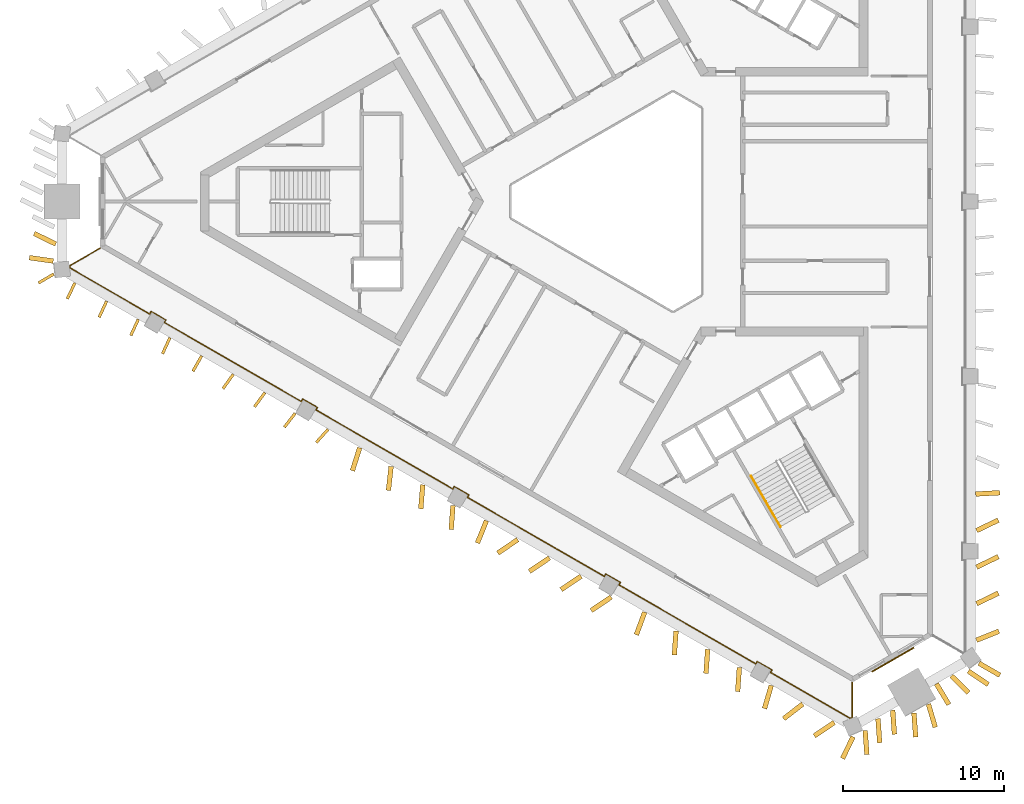
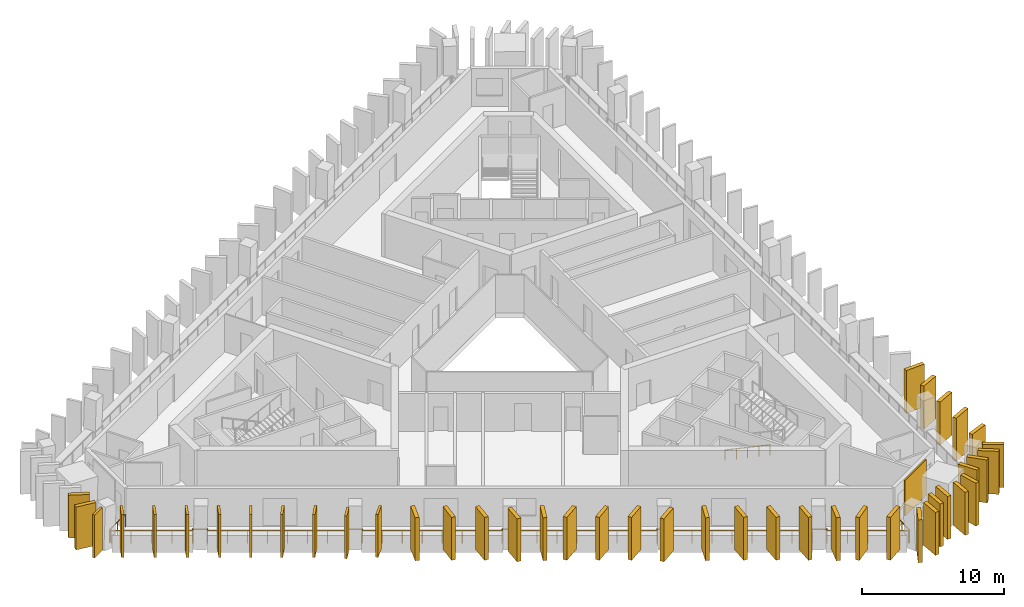
# One storey, part 7 of 10: 43 shading devices, 2 railings, 1 covering.
"""IFC4 building model written with IfcOpenShell, lengths in metres."""

from ifc_helpers import new_model, si_unit, direction, frame, frame_2d, origin, origin_2d, place, context, subcontext, project, spatial, rectangle, circle, extrude, material, layer, layer_set, type_object, element, save


model = new_model("IFC4")

# Units and contexts
model_context = context("Model", 3, precision=1e-05, world=origin(), true_north=direction((0.0, 1.0)))
body_context = subcontext(model_context, "Body", "Model", "MODEL_VIEW")
ifc_project = project(units=[si_unit("LENGTHUNIT", "METRE"), si_unit("AREAUNIT", "SQUARE_METRE"), si_unit("VOLUMEUNIT", "CUBIC_METRE"), si_unit("PLANEANGLEUNIT", "RADIAN"), si_unit("MASSUNIT", "GRAM", prefix="KILO")], contexts=[model_context])

# Site, building, storey
site_placement = place(None, origin())
site = spatial("IfcSite", under=ifc_project, at=site_placement, CompositionType="ELEMENT")
building_placement = place(site_placement, origin())
building = spatial("IfcBuilding", under=site, at=building_placement, Name="Jabali Bay Hotel Tower and Convention Centre", CompositionType="ELEMENT")
storey_placement = place(building_placement, frame((0.0, 0.0, 167.39990234375)))
storey = spatial("IfcBuildingStorey", under=building, at=storey_placement, Name="L40", CompositionType="ELEMENT", Elevation=167.39990234375)

# Railing
ifc_material_1 = material(Name="Glass", Category="glass")
railing_type_1 = type_object("IfcRailingType", Name="Loggia glass guard 1100", PredefinedType="BALUSTRADE", material=ifc_material_1)
railing_1_placement = place(storey_placement, frame((88.904541015625, 50.1181640625, 0.0)))
element("IfcRailing", 1, at=railing_1_placement, inside=storey, type_object=railing_type_1, Name="Loggia glass guard L40", PredefinedType="BALUSTRADE", context=body_context, shape_type="SweptSolid", body=[
    extrude(circle(Radius=0.02490234375, at=origin_2d()), frame((0.0, 0.0, 1.0751953125), z_axis=(0.0, -1.0, 0.0), x_axis=(0.991444861374, 0.0, 0.13052619222)), (0.0, 0.0, 1.0), 2.192626953125),
    extrude(circle(Radius=0.02490234375, at=origin_2d()), frame((0.0, -2.192626953125, 1.0751953125), z_axis=(-0.91884459615, -0.394619573926, 0.0), x_axis=(0.391243548766, -0.910983753254, 0.13052619222)), (0.0, 0.0, 1.0), 0.126220703125),
    extrude(circle(Radius=0.02490234375, at=origin_2d()), frame((-0.115966796875, -2.242431640625, 1.0751953125), z_axis=(-0.866023783073, 0.500002807145, 0.0), x_axis=(-0.495725213816, -0.858614829555, 0.13052619222)), (0.0, 0.0, 1.0), 5.72900390625),
    extrude(circle(Radius=0.02490234375, at=origin_2d()), frame((-5.077392578125, 0.6220703125, 1.0751953125), z_axis=(0.500486622847, 0.865744269604, 0.0), x_axis=(-0.858337707362, 0.496204890408, 0.13052619222)), (0.0, 0.0, 1.0), 0.175048828125),
    extrude(circle(Radius=0.02490234375, at=origin_2d()), frame((-4.98974609375, 0.773681640625, 1.0751953125), z_axis=(-0.866088799389, 0.499890179513, 0.0), x_axis=(-0.495613549729, -0.858679289647, 0.13052619222)), (0.0, 0.0, 1.0), 1.050048828125),
    extrude(circle(Radius=0.02490234375, at=origin_2d()), frame((-5.899169921875, 1.298583984375, 1.0751953125), z_axis=(-0.500044870432, -0.865999496279, 0.0), x_axis=(0.858590750538, -0.495766917246, 0.13052619222)), (0.0, 0.0, 1.0), 0.1748046875),
    extrude(circle(Radius=0.02490234375, at=origin_2d()), frame((-5.986572265625, 1.147216796875, 1.0751953125), z_axis=(-0.866027924134, 0.499995634601, 0.0), x_axis=(-0.495718102635, -0.858618935189, 0.13052619222)), (0.0, 0.0, 1.0), 9.82470703125),
    extrude(circle(Radius=0.02490234375, at=origin_2d()), frame((-14.4951171875, 6.0595703125, 1.0751953125), z_axis=(0.500044870432, 0.865999496279, 0.0), x_axis=(-0.858590750538, 0.495766917246, 0.13052619222)), (0.0, 0.0, 1.0), 0.1748046875),
    extrude(circle(Radius=0.02490234375, at=origin_2d()), frame((-14.40771484375, 6.2109375, 1.0751953125), z_axis=(-0.86592997719, 0.500165247297, 0.0), x_axis=(-0.495886264271, -0.858521826194, 0.13052619222)), (0.0, 0.0, 1.0), 1.050048828125),
    extrude(circle(Radius=0.02490234375, at=origin_2d()), frame((-15.31689453125, 6.736083984375, 1.0751953125), z_axis=(-0.500486622847, -0.865744269604, 0.0), x_axis=(0.858337707362, -0.496204890408, 0.13052619222)), (0.0, 0.0, 1.0), 0.175048828125),
    extrude(circle(Radius=0.02490234375, at=origin_2d()), frame((-15.404541015625, 6.58447265625, 1.0751953125), z_axis=(-0.866021711681, 0.500006394856, 0.0), x_axis=(-0.495728770834, -0.858612775884, 0.13052619222)), (0.0, 0.0, 1.0), 9.824462890625),
    extrude(circle(Radius=0.02490234375, at=origin_2d()), frame((-23.912841796875, 11.496826171875, 1.0751953125), z_axis=(0.499440622861, 0.866348119543, 0.0), x_axis=(-0.858936391282, 0.495167839097, 0.13052619222)), (0.0, 0.0, 1.0), 0.175048828125),
    extrude(circle(Radius=0.02490234375, at=origin_2d()), frame((-23.825439453125, 11.6484375, 1.0751953125), z_axis=(-0.866030680601, 0.499990860175, 0.0), x_axis=(-0.495713369054, -0.858621668074, 0.13052619222)), (0.0, 0.0, 1.0), 1.0498046875),
    extrude(circle(Radius=0.02490234375, at=origin_2d()), frame((-24.734619140625, 12.17333984375, 1.0751953125), z_axis=(-0.501091290591, -0.865394429433, 0.0), x_axis=(0.857990860123, -0.496804385136, 0.13052619222)), (0.0, 0.0, 1.0), 0.1748046875),
    extrude(circle(Radius=0.02490234375, at=origin_2d()), frame((-24.822265625, 12.02197265625, 1.0751953125), z_axis=(-0.866021711681, 0.500006394856, 0.0), x_axis=(-0.495728770834, -0.858612775884, 0.13052619222)), (0.0, 0.0, 1.0), 9.824462890625),
    extrude(circle(Radius=0.02490234375, at=origin_2d()), frame((-33.33056640625, 16.934326171875, 1.0751953125), z_axis=(0.500044870432, 0.865999496279, 0.0), x_axis=(-0.858590750538, 0.495766917246, 0.13052619222)), (0.0, 0.0, 1.0), 0.1748046875),
    extrude(circle(Radius=0.02490234375, at=origin_2d()), frame((-33.2431640625, 17.085693359375, 1.0751953125), z_axis=(-0.865988129768, 0.500064554934, 0.0), x_axis=(-0.495786433345, -0.858579481269, 0.13052619222)), (0.0, 0.0, 1.0), 1.050048828125),
    extrude(circle(Radius=0.02490234375, at=origin_2d()), frame((-34.152587890625, 17.61083984375, 1.0751953125), z_axis=(-0.499440622861, -0.866348119543, 0.0), x_axis=(0.858936391282, -0.495167839097, 0.13052619222)), (0.0, 0.0, 1.0), 0.175048828125),
    extrude(circle(Radius=0.02490234375, at=origin_2d()), frame((-34.239990234375, 17.459228515625, 1.0751953125), z_axis=(-0.866027924134, 0.499995634601, 0.0), x_axis=(-0.495718102635, -0.858618935189, 0.13052619222)), (0.0, 0.0, 1.0), 9.82470703125),
    extrude(circle(Radius=0.02490234375, at=origin_2d()), frame((-42.74853515625, 22.37158203125, 1.0751953125), z_axis=(0.500486622847, 0.865744269604, 0.0), x_axis=(-0.858337707362, 0.496204890408, 0.13052619222)), (0.0, 0.0, 1.0), 0.175048828125),
    extrude(circle(Radius=0.02490234375, at=origin_2d()), frame((-42.660888671875, 22.523193359375, 1.0751953125), z_axis=(-0.866088799389, 0.499890179513, 0.0), x_axis=(-0.495613549729, -0.858679289647, 0.13052619222)), (0.0, 0.0, 1.0), 1.050048828125),
    extrude(circle(Radius=0.02490234375, at=origin_2d()), frame((-43.5703125, 23.048095703125, 1.0751953125), z_axis=(-0.499440622861, -0.866348119543, 0.0), x_axis=(0.858936391282, -0.495167839097, 0.13052619222)), (0.0, 0.0, 1.0), 0.175048828125),
    extrude(circle(Radius=0.02490234375, at=origin_2d()), frame((-43.65771484375, 22.896484375, 1.0751953125), z_axis=(-0.866023783073, 0.500002807145, 0.0), x_axis=(-0.495725213816, -0.858614829555, 0.13052619222)), (0.0, 0.0, 1.0), 5.72900390625),
    extrude(circle(Radius=0.02490234375, at=origin_2d()), frame((-48.619140625, 25.760986328125, 1.0751953125), z_axis=(-0.119984594018, 0.992775753732, 0.0), x_axis=(-0.984282419534, -0.118958109183, 0.13052619222)), (0.0, 0.0, 1.0), 0.126220703125),
    extrude(circle(Radius=0.02490234375, at=origin_2d()), frame((-48.63427734375, 25.88623046875, 1.0751953125), z_axis=(0.866007583809, 0.500030863832, 0.0), x_axis=(-0.495753030475, 0.858598768878, 0.13052619222)), (0.0, 0.0, 1.0), 2.192626953125),
    extrude(circle(Radius=0.02001953125, at=origin_2d()), origin(), (0.0, 0.0, 1.0), 1.050048828125),
    extrude(circle(Radius=0.02001953125, at=origin_2d()), frame((0.0, -1.09619140625, 0.0)), (0.0, 0.0, 1.0), 1.050048828125),
    extrude(circle(Radius=0.02001953125, at=origin_2d()), frame((0.0, -2.192626953125, 0.0)), (0.0, 0.0, 1.0), 1.050048828125),
    extrude(circle(Radius=0.02001953125, at=origin_2d()), frame((-0.115966796875, -2.242431640625, 0.0)), (0.0, 0.0, 1.0), 1.050048828125),
    extrude(circle(Radius=0.02001953125, at=origin_2d()), frame((-1.3564453125, -1.5263671875, 0.0)), (0.0, 0.0, 1.0), 1.050048828125),
    extrude(circle(Radius=0.02001953125, at=origin_2d()), frame((-2.5966796875, -0.81005859375, 0.0)), (0.0, 0.0, 1.0), 1.050048828125),
    extrude(circle(Radius=0.02001953125, at=origin_2d()), frame((-3.8369140625, -0.093994140625, 0.0)), (0.0, 0.0, 1.0), 1.050048828125),
    extrude(circle(Radius=0.02001953125, at=origin_2d()), frame((-5.077392578125, 0.6220703125, 0.0)), (0.0, 0.0, 1.0), 1.050048828125),
    extrude(circle(Radius=0.02001953125, at=origin_2d()), frame((-4.98974609375, 0.773681640625, 0.0)), (0.0, 0.0, 1.0), 1.050048828125),
    extrude(circle(Radius=0.02001953125, at=origin_2d()), frame((-5.899169921875, 1.298583984375, 0.0)), (0.0, 0.0, 1.0), 1.050048828125),
    extrude(circle(Radius=0.02001953125, at=origin_2d()), frame((-5.986572265625, 1.147216796875, 0.0)), (0.0, 0.0, 1.0), 1.050048828125),
    extrude(circle(Radius=0.02001953125, at=origin_2d()), frame((-7.2021484375, 1.848876953125, 0.0)), (0.0, 0.0, 1.0), 1.050048828125),
    extrude(circle(Radius=0.02001953125, at=origin_2d()), frame((-8.41748046875, 2.55078125, 0.0)), (0.0, 0.0, 1.0), 1.050048828125),
    extrude(circle(Radius=0.02001953125, at=origin_2d()), frame((-9.633056640625, 3.25244140625, 0.0)), (0.0, 0.0, 1.0), 1.050048828125),
    extrude(circle(Radius=0.02001953125, at=origin_2d()), frame((-10.8486328125, 3.954345703125, 0.0)), (0.0, 0.0, 1.0), 1.050048828125),
    extrude(circle(Radius=0.02001953125, at=origin_2d()), frame((-12.064208984375, 4.656005859375, 0.0)), (0.0, 0.0, 1.0), 1.050048828125),
    extrude(circle(Radius=0.02001953125, at=origin_2d()), frame((-13.279541015625, 5.35791015625, 0.0)), (0.0, 0.0, 1.0), 1.050048828125),
    extrude(circle(Radius=0.02001953125, at=origin_2d()), frame((-14.4951171875, 6.0595703125, 0.0)), (0.0, 0.0, 1.0), 1.050048828125),
    extrude(circle(Radius=0.02001953125, at=origin_2d()), frame((-14.40771484375, 6.2109375, 0.0)), (0.0, 0.0, 1.0), 1.050048828125),
    extrude(circle(Radius=0.02001953125, at=origin_2d()), frame((-15.31689453125, 6.736083984375, 0.0)), (0.0, 0.0, 1.0), 1.050048828125),
    extrude(circle(Radius=0.02001953125, at=origin_2d()), frame((-15.404541015625, 6.58447265625, 0.0)), (0.0, 0.0, 1.0), 1.050048828125),
    extrude(circle(Radius=0.02001953125, at=origin_2d()), frame((-16.6201171875, 7.2861328125, 0.0)), (0.0, 0.0, 1.0), 1.050048828125),
    extrude(circle(Radius=0.02001953125, at=origin_2d()), frame((-17.83544921875, 7.988037109375, 0.0)), (0.0, 0.0, 1.0), 1.050048828125),
    extrude(circle(Radius=0.02001953125, at=origin_2d()), frame((-19.051025390625, 8.689697265625, 0.0)), (0.0, 0.0, 1.0), 1.050048828125),
    extrude(circle(Radius=0.02001953125, at=origin_2d()), frame((-20.266357421875, 9.3916015625, 0.0)), (0.0, 0.0, 1.0), 1.050048828125),
    extrude(circle(Radius=0.02001953125, at=origin_2d()), frame((-21.48193359375, 10.09326171875, 0.0)), (0.0, 0.0, 1.0), 1.050048828125),
    extrude(circle(Radius=0.02001953125, at=origin_2d()), frame((-22.697265625, 10.795166015625, 0.0)), (0.0, 0.0, 1.0), 1.050048828125),
    extrude(circle(Radius=0.02001953125, at=origin_2d()), frame((-23.912841796875, 11.496826171875, 0.0)), (0.0, 0.0, 1.0), 1.050048828125),
    extrude(circle(Radius=0.02001953125, at=origin_2d()), frame((-23.825439453125, 11.6484375, 0.0)), (0.0, 0.0, 1.0), 1.050048828125),
    extrude(circle(Radius=0.02001953125, at=origin_2d()), frame((-24.734619140625, 12.17333984375, 0.0)), (0.0, 0.0, 1.0), 1.050048828125),
    extrude(circle(Radius=0.02001953125, at=origin_2d()), frame((-24.822265625, 12.02197265625, 0.0)), (0.0, 0.0, 1.0), 1.050048828125),
    extrude(circle(Radius=0.02001953125, at=origin_2d()), frame((-26.037841796875, 12.7236328125, 0.0)), (0.0, 0.0, 1.0), 1.050048828125),
    extrude(circle(Radius=0.02001953125, at=origin_2d()), frame((-27.253173828125, 13.425537109375, 0.0)), (0.0, 0.0, 1.0), 1.050048828125),
    extrude(circle(Radius=0.02001953125, at=origin_2d()), frame((-28.46875, 14.127197265625, 0.0)), (0.0, 0.0, 1.0), 1.050048828125),
    extrude(circle(Radius=0.02001953125, at=origin_2d()), frame((-29.68408203125, 14.8291015625, 0.0)), (0.0, 0.0, 1.0), 1.050048828125),
    extrude(circle(Radius=0.02001953125, at=origin_2d()), frame((-30.899658203125, 15.53076171875, 0.0)), (0.0, 0.0, 1.0), 1.050048828125),
    extrude(circle(Radius=0.02001953125, at=origin_2d()), frame((-32.114990234375, 16.232666015625, 0.0)), (0.0, 0.0, 1.0), 1.050048828125),
    extrude(circle(Radius=0.02001953125, at=origin_2d()), frame((-33.33056640625, 16.934326171875, 0.0)), (0.0, 0.0, 1.0), 1.050048828125),
    extrude(circle(Radius=0.02001953125, at=origin_2d()), frame((-33.2431640625, 17.085693359375, 0.0)), (0.0, 0.0, 1.0), 1.050048828125),
    extrude(circle(Radius=0.02001953125, at=origin_2d()), frame((-34.152587890625, 17.61083984375, 0.0)), (0.0, 0.0, 1.0), 1.050048828125),
    extrude(circle(Radius=0.02001953125, at=origin_2d()), frame((-34.239990234375, 17.459228515625, 0.0)), (0.0, 0.0, 1.0), 1.050048828125),
    extrude(circle(Radius=0.02001953125, at=origin_2d()), frame((-35.45556640625, 18.160888671875, 0.0)), (0.0, 0.0, 1.0), 1.050048828125),
    extrude(circle(Radius=0.02001953125, at=origin_2d()), frame((-36.6708984375, 18.86279296875, 0.0)), (0.0, 0.0, 1.0), 1.050048828125),
    extrude(circle(Radius=0.02001953125, at=origin_2d()), frame((-37.886474609375, 19.564453125, 0.0)), (0.0, 0.0, 1.0), 1.050048828125),
    extrude(circle(Radius=0.02001953125, at=origin_2d()), frame((-39.10205078125, 20.266357421875, 0.0)), (0.0, 0.0, 1.0), 1.050048828125),
    extrude(circle(Radius=0.02001953125, at=origin_2d()), frame((-40.317626953125, 20.968017578125, 0.0)), (0.0, 0.0, 1.0), 1.050048828125),
    extrude(circle(Radius=0.02001953125, at=origin_2d()), frame((-41.532958984375, 21.669921875, 0.0)), (0.0, 0.0, 1.0), 1.050048828125),
    extrude(circle(Radius=0.02001953125, at=origin_2d()), frame((-42.74853515625, 22.37158203125, 0.0)), (0.0, 0.0, 1.0), 1.050048828125),
    extrude(circle(Radius=0.02001953125, at=origin_2d()), frame((-42.660888671875, 22.523193359375, 0.0)), (0.0, 0.0, 1.0), 1.050048828125),
    extrude(circle(Radius=0.02001953125, at=origin_2d()), frame((-43.5703125, 23.048095703125, 0.0)), (0.0, 0.0, 1.0), 1.050048828125),
    extrude(circle(Radius=0.02001953125, at=origin_2d()), frame((-43.65771484375, 22.896484375, 0.0)), (0.0, 0.0, 1.0), 1.050048828125),
    extrude(circle(Radius=0.02001953125, at=origin_2d()), frame((-44.89794921875, 23.612548828125, 0.0)), (0.0, 0.0, 1.0), 1.050048828125),
    extrude(circle(Radius=0.02001953125, at=origin_2d()), frame((-46.138427734375, 24.32861328125, 0.0)), (0.0, 0.0, 1.0), 1.050048828125),
    extrude(circle(Radius=0.02001953125, at=origin_2d()), frame((-47.37890625, 25.044921875, 0.0)), (0.0, 0.0, 1.0), 1.050048828125),
    extrude(circle(Radius=0.02001953125, at=origin_2d()), frame((-48.619140625, 25.760986328125, 0.0)), (0.0, 0.0, 1.0), 1.050048828125),
    extrude(circle(Radius=0.02001953125, at=origin_2d()), frame((-48.63427734375, 25.88623046875, 0.0)), (0.0, 0.0, 1.0), 1.050048828125),
    extrude(circle(Radius=0.02001953125, at=origin_2d()), frame((-47.684814453125, 26.4345703125, 0.0)), (0.0, 0.0, 1.0), 1.050048828125),
    extrude(circle(Radius=0.02001953125, at=origin_2d()), frame((-46.7353515625, 26.982666015625, 0.0)), (0.0, 0.0, 1.0), 1.050048828125),
])

# Shading devices
ifc_material_2 = material(Name="Precast concrete C60", Category="concrete")
ifc_layer_1 = layer(ifc_material_2, 0.179931640625)
ifc_layer_set_1 = layer_set([ifc_layer_1], Name="Precast concrete C60")
shading_device_type_1 = type_object("IfcShadingDeviceType", Name="Precast fin 3680 x 1100", PredefinedType="USERDEFINED", material=ifc_layer_set_1)
for number, where, z_axis, x_axis, name in (
    (2, (40.603271484375, 74.94580078125, 0.010009765625), (0.0, 0.0, 1.0), (-0.431879510315, -0.901931310339, 0.0), "Fin L40 066"),
    (3, (42.570068359375, 73.808837890625, 0.010009765625), (0.0, 0.0, 1.0), (-0.419030028282, -0.9079723759, 0.0), "Fin L40 067"),
    (4, (44.53759765625, 72.6728515625, 0.010009765625), (0.0, 0.0, 1.0), (-0.419030028282, -0.9079723759, 0.0), "Fin L40 068"),
    (5, (46.5048828125, 71.537109375, 0.010009765625), (0.0, 0.0, 1.0), (-0.418312180879, -0.908303319012, 0.0), "Fin L40 069"),
):
    element("IfcShadingDevice", number, at=place(storey_placement, frame(where, z_axis=z_axis, x_axis=x_axis)), inside=storey, type_object=shading_device_type_1, Name=name, ObjectType="FIN", PredefinedType="USERDEFINED", context=body_context, shape_type="SweptSolid", body=[
        extrude(rectangle(XDim=1.10009765625, YDim=0.179931640625, at=frame_2d((0.550048828125, 0.0))), origin(), (0.0, 0.0, 1.0), 3.68017578125),
    ])
shading_device_1_placement = place(storey_placement, frame((48.47607421875, 70.40771484375, 0.010009765625), z_axis=(0.0, 0.0, 1.0), x_axis=(-0.4939140582, -0.869510726278, 0.0)))
element("IfcShadingDevice", 6, at=shading_device_1_placement, inside=storey, type_object=shading_device_type_1, Name="Fin L40 070", ObjectType="FIN", PredefinedType="USERDEFINED", context=body_context, shape_type="SweptSolid", body=[
    extrude(rectangle(XDim=1.099853515625, YDim=0.179931640625, at=frame_2d((0.5498046875, 0.0))), origin(), (0.0, 0.0, 1.0), 3.68017578125),
])
shading_device_2_placement = place(storey_placement, frame((50.439453125, 69.264892578125, 0.010009765625), z_axis=(0.0, 0.0, 1.0), x_axis=(-0.580797242586, -0.814048255944, 0.0)))
element("IfcShadingDevice", 7, at=shading_device_2_placement, inside=storey, type_object=shading_device_type_1, Name="Fin L40 071", ObjectType="FIN", PredefinedType="USERDEFINED", context=body_context, shape_type="SweptSolid", body=[
    extrude(rectangle(XDim=1.10009765625, YDim=0.179931640625, at=frame_2d((0.550048828125, 0.0))), origin(), (0.0, 0.0, 1.0), 3.68017578125),
])
shading_device_3_placement = place(storey_placement, frame((52.406494140625, 68.128173828125, 0.010009765625), z_axis=(0.0, 0.0, 1.0), x_axis=(-0.58839602701, -0.808572888117, 0.0)))
element("IfcShadingDevice", 8, at=shading_device_3_placement, inside=storey, type_object=shading_device_type_1, Name="Fin L40 072", ObjectType="FIN", PredefinedType="USERDEFINED", context=body_context, shape_type="SweptSolid", body=[
    extrude(rectangle(XDim=1.099853515625, YDim=0.179931640625, at=frame_2d((0.5498046875, 0.0))), origin(), (0.0, 0.0, 1.0), 3.68017578125),
])
for number, where, z_axis, x_axis, name in (
    (9, (54.2880859375, 66.84375, 0.010009765625), (0.0, 0.0, 1.0), (-0.611232712936, -0.791450927498, 0.0), "Fin L40 073"),
    (10, (56.336669921875, 65.8486328125, 0.010009765625), (0.0, 0.0, 1.0), (-0.668719452422, -0.743514824299, 0.0), "Fin L40 074"),
):
    element("IfcShadingDevice", number, at=place(storey_placement, frame(where, z_axis=z_axis, x_axis=x_axis)), inside=storey, type_object=shading_device_type_1, Name=name, ObjectType="FIN", PredefinedType="USERDEFINED", context=body_context, shape_type="SweptSolid", body=[
        extrude(rectangle(XDim=1.10009765625, YDim=0.179931640625, at=frame_2d((0.550048828125, 0.0))), origin(), (0.0, 0.0, 1.0), 3.68017578125),
    ])
shading_device_4_placement = place(storey_placement, frame((39.288330078125, 75.495361328125, 0.010009765625), z_axis=(0.0, 0.0, 1.0), x_axis=(-0.863408357822, -0.504505706254, 0.0)))
element("IfcShadingDevice", 11, at=shading_device_4_placement, inside=storey, type_object=shading_device_type_1, Name="Fin L40 103", ObjectType="FIN", PredefinedType="USERDEFINED", context=body_context, shape_type="SweptSolid", body=[
    extrude(rectangle(XDim=1.099853515625, YDim=0.179931640625, at=frame_2d((0.5498046875, 0.0))), origin(), (0.0, 0.0, 1.0), 3.68017578125),
])
ifc_layer_2 = layer(ifc_material_2, 0.300048828125)
ifc_layer_set_2 = layer_set([ifc_layer_2], Name="Precast concrete C60")
shading_device_type_2 = type_object("IfcShadingDeviceType", Name="Precast fin 3680 x 1500", PredefinedType="USERDEFINED", material=ifc_layer_set_2)
for number, where, z_axis, x_axis, name in (
    (12, (96.624755859375, 52.73876953125, 0.010009765625), (0.0, 0.0, 1.0), (0.926896939624, 0.375315951321, 0.0), "Fin L40 000"),
    (13, (96.634033203125, 55.010498046875, 0.010009765625), (0.0, 0.0, 1.0), (0.899224705973, 0.437487060571, 0.0), "Fin L40 001"),
    (14, (96.634033203125, 57.2822265625, 0.010009765625), (0.0, 0.0, 1.0), (0.899447838234, 0.437028129869, 0.0), "Fin L40 002"),
):
    element("IfcShadingDevice", number, at=place(storey_placement, frame(where, z_axis=z_axis, x_axis=x_axis)), inside=storey, type_object=shading_device_type_2, Name=name, ObjectType="FIN", PredefinedType="USERDEFINED", context=body_context, shape_type="SweptSolid", body=[
        extrude(rectangle(XDim=1.5, YDim=0.300048828125, at=frame_2d((0.75, 0.0))), origin(), (0.0, 0.0, 1.0), 3.68017578125),
    ])
shading_device_5_placement = place(storey_placement, frame((96.633544921875, 59.553955078125, 0.010009765625), z_axis=(0.0, 0.0, 1.0), x_axis=(0.900588982617, 0.434671697248, 0.0)))
element("IfcShadingDevice", 15, at=shading_device_5_placement, inside=storey, type_object=shading_device_type_2, Name="Fin L40 003", ObjectType="FIN", PredefinedType="USERDEFINED", context=body_context, shape_type="SweptSolid", body=[
    extrude(rectangle(XDim=1.500244140625, YDim=0.300048828125, at=frame_2d((0.75, 0.0))), origin(), (0.0, 0.0, 1.0), 3.68017578125),
])
shading_device_6_placement = place(storey_placement, frame((96.576171875, 61.82568359375, 0.010009765625), z_axis=(0.0, 0.0, 1.0), x_axis=(0.998659768637, 0.051755835467, 0.0)))
element("IfcShadingDevice", 16, at=shading_device_6_placement, inside=storey, type_object=shading_device_type_2, Name="Fin L40 004", ObjectType="FIN", PredefinedType="USERDEFINED", context=body_context, shape_type="SweptSolid", body=[
    extrude(rectangle(XDim=1.5, YDim=0.300048828125, at=frame_2d((0.75, 0.0))), origin(), (0.0, 0.0, 1.0), 3.68017578125),
])
shading_device_7_placement = place(storey_placement, frame((39.4169921875, 77.358154296875, 0.010009765625), z_axis=(0.0, 0.0, 1.0), x_axis=(-0.899160672984, 0.437618651521, 0.0)))
element("IfcShadingDevice", 17, at=shading_device_7_placement, inside=storey, type_object=shading_device_type_2, Name="Fin L40 064", ObjectType="FIN", PredefinedType="USERDEFINED", context=body_context, shape_type="SweptSolid", body=[
    extrude(rectangle(XDim=1.500244140625, YDim=0.300048828125, at=frame_2d((0.75, 0.0))), origin(), (0.0, 0.0, 1.0), 3.68017578125),
])
for number, where, z_axis, x_axis, name in (
    (18, (39.257568359375, 76.30126953125, 0.010009765625), (0.0, 0.0, 1.0), (-0.990063103726, 0.140623791159, 0.0), "Fin L40 065"),
    (19, (58.29736328125, 64.700927734375, 0.010009765625), (0.0, 0.0, 1.0), (-0.301590909592, -0.953437424927, 0.0), "Fin L40 075"),
    (20, (60.2509765625, 63.541015625, 0.010009765625), (0.0, 0.0, 1.0), (-0.111324651019, -0.993784092283, 0.0), "Fin L40 076"),
    (21, (62.21630859375, 62.4013671875, 0.010009765625), (0.0, 0.0, 1.0), (-0.08105184903, -0.996709886461, 0.0), "Fin L40 077"),
    (22, (64.091796875, 61.106689453125, 0.010009765625), (0.0, 0.0, 1.0), (-0.072912463799, -0.997338344105, 0.0), "Fin L40 078"),
    (23, (66.172607421875, 60.167236328125, 0.010009765625), (0.0, 0.0, 1.0), (-0.374027044151, -0.927417797028, 0.0), "Fin L40 079"),
    (24, (68.11767578125, 58.99267578125, 0.010009765625), (0.0, 0.0, 1.0), (-0.828452221688, -0.560059743581, 0.0), "Fin L40 080"),
    (25, (70.085205078125, 57.856689453125, 0.010009765625), (0.0, 0.0, 1.0), (-0.828578765843, -0.559872511196, 0.0), "Fin L40 081"),
    (26, (72.052734375, 56.720703125, 0.010009765625), (0.0, 0.0, 1.0), (-0.828654266351, -0.55976075859, 0.0), "Fin L40 082"),
):
    element("IfcShadingDevice", number, at=place(storey_placement, frame(where, z_axis=z_axis, x_axis=x_axis)), inside=storey, type_object=shading_device_type_2, Name=name, ObjectType="FIN", PredefinedType="USERDEFINED", context=body_context, shape_type="SweptSolid", body=[
        extrude(rectangle(XDim=1.5, YDim=0.300048828125, at=frame_2d((0.75, 0.0))), origin(), (0.0, 0.0, 1.0), 3.68017578125),
    ])
shading_device_8_placement = place(storey_placement, frame((73.9287109375, 55.427001953125, 0.010009765625), z_axis=(0.0, 0.0, 1.0), x_axis=(-0.828527739218, -0.559948020218, 0.0)))
element("IfcShadingDevice", 27, at=shading_device_8_placement, inside=storey, type_object=shading_device_type_2, Name="Fin L40 083", ObjectType="FIN", PredefinedType="USERDEFINED", context=body_context, shape_type="SweptSolid", body=[
    extrude(rectangle(XDim=1.499755859375, YDim=0.300048828125, at=frame_2d((0.75, 0.0))), origin(), (0.0, 0.0, 1.0), 3.68017578125),
])
for number, where, z_axis, x_axis, name in (
    (28, (76.007568359375, 54.48388671875, 0.010009765625), (0.0, 0.0, 1.0), (-0.346195583689, -0.938162362192, 0.0), "Fin L40 084"),
    (29, (77.954833984375, 53.313232421875, 0.010009765625), (0.0, 0.0, 1.0), (-0.070472092405, -0.99751375138, 0.0), "Fin L40 085"),
    (30, (79.92236328125, 52.17724609375, 0.010009765625), (0.0, 0.0, 1.0), (-0.070634034433, -0.997502297331, 0.0), "Fin L40 086"),
):
    element("IfcShadingDevice", number, at=place(storey_placement, frame(where, z_axis=z_axis, x_axis=x_axis)), inside=storey, type_object=shading_device_type_2, Name=name, ObjectType="FIN", PredefinedType="USERDEFINED", context=body_context, shape_type="SweptSolid", body=[
        extrude(rectangle(XDim=1.5, YDim=0.300048828125, at=frame_2d((0.75, 0.0))), origin(), (0.0, 0.0, 1.0), 3.68017578125),
    ])
shading_device_9_placement = place(storey_placement, frame((81.8896484375, 51.041259765625, 0.010009765625), z_axis=(0.0, 0.0, 1.0), x_axis=(-0.070483535293, -0.9975129429, 0.0)))
element("IfcShadingDevice", 31, at=shading_device_9_placement, inside=storey, type_object=shading_device_type_2, Name="Fin L40 087", ObjectType="FIN", PredefinedType="USERDEFINED", context=body_context, shape_type="SweptSolid", body=[
    extrude(rectangle(XDim=1.499755859375, YDim=0.300048828125, at=frame_2d((0.75, 0.0))), origin(), (0.0, 0.0, 1.0), 3.68017578125),
])
for number, where, z_axis, x_axis, name in (
    (32, (83.8720703125, 49.931396484375, 0.010009765625), (0.0, 0.0, 1.0), (-0.280456250998, -0.959866809133, 0.0), "Fin L40 088"),
    (33, (85.828857421875, 48.77685546875, 0.010009765625), (0.0, 0.0, 1.0), (-0.792139702798, -0.61033981621, 0.0), "Fin L40 089"),
    (34, (87.7919921875, 47.6337890625, 0.010009765625), (0.0, 0.0, 1.0), (-0.828578765843, -0.559872511196, 0.0), "Fin L40 090"),
):
    element("IfcShadingDevice", number, at=place(storey_placement, frame(where, z_axis=z_axis, x_axis=x_axis)), inside=storey, type_object=shading_device_type_2, Name=name, ObjectType="FIN", PredefinedType="USERDEFINED", context=body_context, shape_type="SweptSolid", body=[
        extrude(rectangle(XDim=1.5, YDim=0.300048828125, at=frame_2d((0.75, 0.0))), origin(), (0.0, 0.0, 1.0), 3.68017578125),
    ])
shading_device_10_placement = place(storey_placement, frame((89.707763671875, 47.128173828125, 0.010009765625), z_axis=(0.0, 0.0, 1.0), x_axis=(0.070483535293, -0.9975129429, 0.0)))
element("IfcShadingDevice", 35, at=shading_device_10_placement, inside=storey, type_object=shading_device_type_2, Name="Fin L40 091", ObjectType="FIN", PredefinedType="USERDEFINED", context=body_context, shape_type="SweptSolid", body=[
    extrude(rectangle(XDim=1.499755859375, YDim=0.300048828125, at=frame_2d((0.75, 0.0))), origin(), (0.0, 0.0, 1.0), 3.68017578125),
])
for number, where, z_axis, x_axis, name in (
    (36, (90.503662109375, 47.86328125, 0.010009765625), (0.0, 0.0, 1.0), (0.070472092405, -0.99751375138, 0.0), "Fin L40 092"),
    (37, (91.418701171875, 48.3916015625, 0.010009765625), (0.0, 0.0, 1.0), (0.070634034433, -0.997502297331, 0.0), "Fin L40 093"),
    (38, (92.740234375, 48.21630859375, 0.010009765625), (0.0, 0.0, 1.0), (0.070472092405, -0.99751375138, 0.0), "Fin L40 094"),
    (39, (93.640380859375, 48.770751953125, 0.010009765625), (0.0, 0.0, 1.0), (0.280756148119, -0.9597791336, 0.0), "Fin L40 095"),
    (40, (94.1328125, 50.031005859375, 0.010009765625), (0.0, 0.0, 1.0), (0.516265839192, -0.856428387714, 0.0), "Fin L40 096"),
    (41, (95.06640625, 50.52783203125, 0.010009765625), (0.0, 0.0, 1.0), (0.709949305321, -0.704252784073, 0.0), "Fin L40 097"),
    (42, (96.114013671875, 50.826904296875, 0.010009765625), (0.0, 0.0, 1.0), (0.828578765843, -0.559872511196, 0.0), "Fin L40 098"),
    (43, (96.77880859375, 51.3125, 0.010009765625), (0.0, 0.0, 1.0), (0.866031096941, -0.499990139034, 0.0), "Fin L40 099"),
    (44, (88.95458984375, 46.736083984375, 0.010009765625), (0.0, 0.0, 1.0), (-0.43768269784, -0.899129499022, 0.0), "Fin L40 104"),
):
    element("IfcShadingDevice", number, at=place(storey_placement, frame(where, z_axis=z_axis, x_axis=x_axis)), inside=storey, type_object=shading_device_type_2, Name=name, ObjectType="FIN", PredefinedType="USERDEFINED", context=body_context, shape_type="SweptSolid", body=[
        extrude(rectangle(XDim=1.5, YDim=0.300048828125, at=frame_2d((0.75, 0.0))), origin(), (0.0, 0.0, 1.0), 3.68017578125),
    ])

# Covering
ifc_material_3 = material(Name="Precast concrete C40/50", Category="concrete")
ifc_layer_3 = layer(ifc_material_3, 0.080078125)
ifc_layer_set_3 = layer_set([ifc_layer_3], Name="Precast concrete C40/50")
covering_type = type_object("IfcCoveringType", Name="Relief panel 3000 x 3050", PredefinedType="CLADDING", material=ifc_layer_set_3)
covering_placement = place(storey_placement, frame((91.435302734375, 51.533203125, 0.10009765625), z_axis=(0.0, 0.0, 1.0), x_axis=(-0.866025461572, -0.499999899909, 0.0)))
element("IfcCovering", 45, at=covering_placement, inside=storey, type_object=covering_type, Name="Relief panel L40", PredefinedType="CLADDING", context=body_context, shape_type="SweptSolid", body=[
    extrude(rectangle(XDim=3.0, YDim=0.080078125, at=origin_2d()), origin(), (0.0, 0.0, 1.0), 3.050048828125),
])

# Railing
ifc_material_4 = material(Name="Steel Q355B", Category="steel")
railing_type_2 = type_object("IfcRailingType", Name="Stair handrail 900", PredefinedType="HANDRAIL", material=ifc_material_4)
railing_2_placement = place(storey_placement, frame((82.622802734375, 62.94677734375, 0.13232421875)))
element("IfcRailing", 46, at=railing_2_placement, inside=storey, type_object=railing_type_2, Name="L40 ST3 stair handrail 1", PredefinedType="HANDRAIL", context=body_context, shape_type="SweptSolid", body=[
    extrude(circle(Radius=0.02392578125, at=origin_2d()), frame((0.0, 0.0, 0.8759765625), z_axis=(0.452190331055, -0.783190014029, 0.426775475427), x_axis=(0.866018046521, 0.500012742938, 0.0)), (0.0, 0.0, 1.0), 4.02490234375),
    extrude(circle(Radius=0.02099609375, at=origin_2d()), origin(), (0.0, 0.0, 1.0), 0.851806640625),
    extrude(circle(Radius=0.02099609375, at=origin_2d()), frame((0.455078125, -0.7880859375, 0.429443359375)), (0.0, 0.0, 1.0), 0.851806640625),
    extrude(circle(Radius=0.02099609375, at=origin_2d()), frame((0.91015625, -1.576171875, 0.85888671875)), (0.0, 0.0, 1.0), 0.851806640625),
    extrude(circle(Radius=0.02099609375, at=origin_2d()), frame((1.364990234375, -2.3642578125, 1.288330078125)), (0.0, 0.0, 1.0), 0.851806640625),
    extrude(circle(Radius=0.02099609375, at=origin_2d()), frame((1.820068359375, -3.15234375, 1.7177734375)), (0.0, 0.0, 1.0), 0.851806640625),
])

save(model, "model.ifc")
